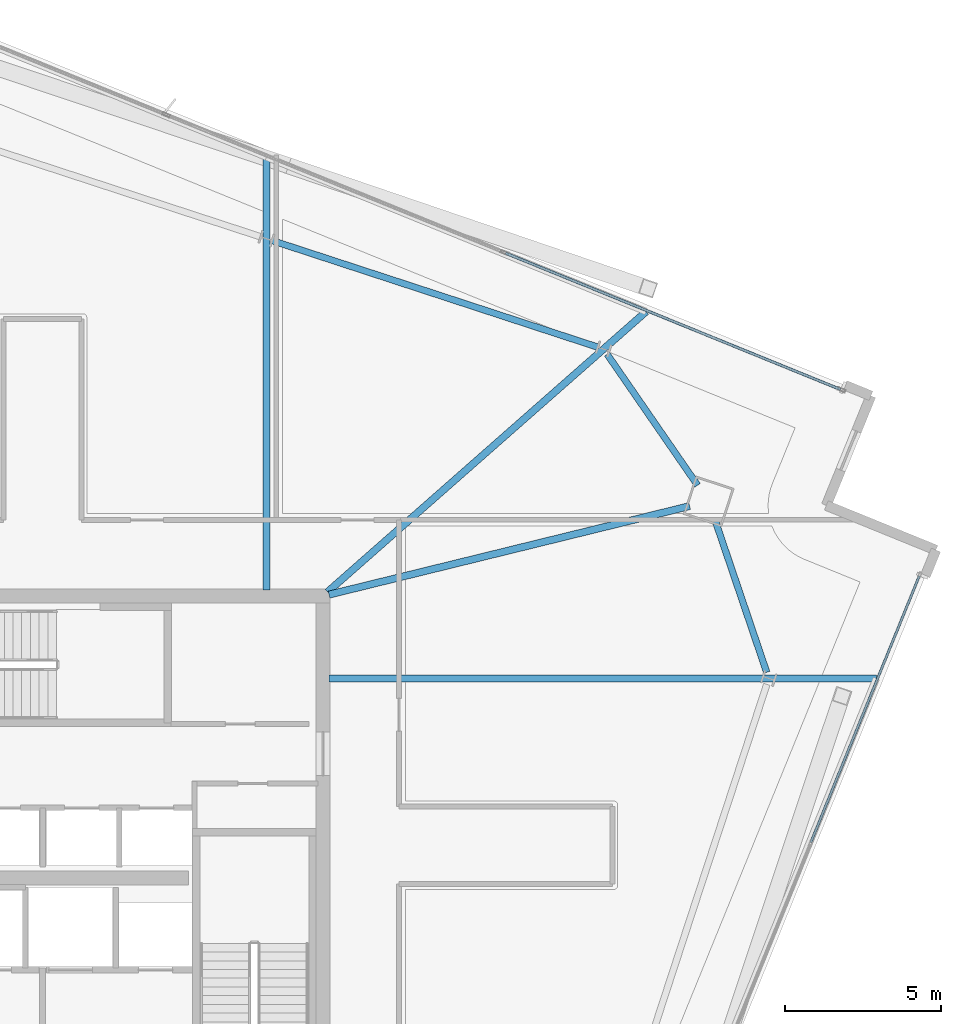
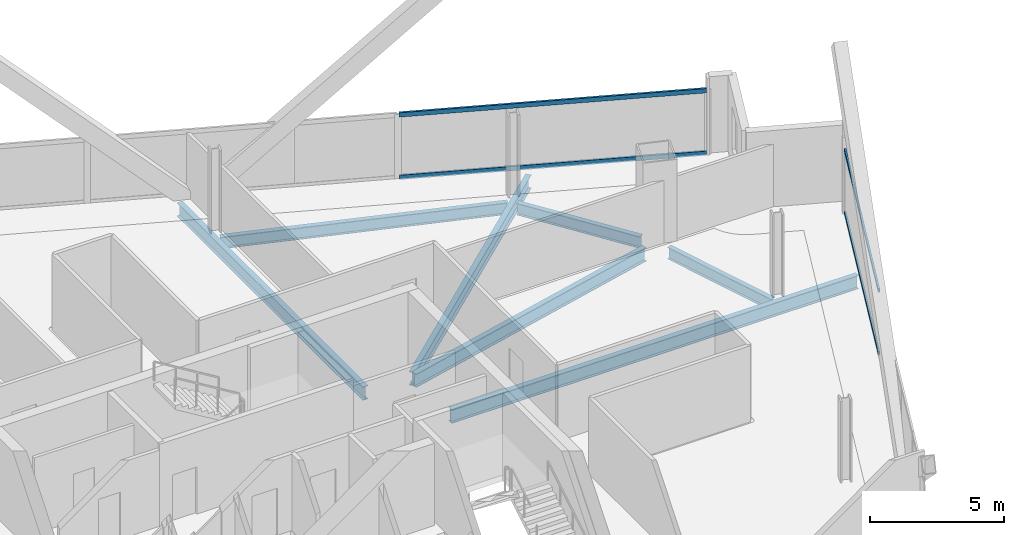
# One storey, part 20 of 31: 7 beams, 4 members, 2 elements without a shape of their own.
"""IFC4 building model written with IfcOpenShell, lengths in metres."""

from ifc_helpers import new_model, si_unit, direction, frame, origin, origin_2d, place, context, subcontext, project, spatial, hollow_rectangle, i_section, extrude, material, material_profile, profile_set, type_object, element, aggregate, save


model = new_model("IFC4")

# Units and contexts
model_context = context("Model", 3, precision=1e-05, world=origin(), true_north=direction((0.0, 1.0)))
body_context = subcontext(model_context, "Body", "Model", "MODEL_VIEW")
ifc_project = project(units=[si_unit("LENGTHUNIT", "METRE"), si_unit("AREAUNIT", "SQUARE_METRE"), si_unit("VOLUMEUNIT", "CUBIC_METRE"), si_unit("PLANEANGLEUNIT", "RADIAN"), si_unit("MASSUNIT", "GRAM", prefix="KILO")], contexts=[model_context])

# Site, building, storey
site_placement = place(None, origin())
site = spatial("IfcSite", under=ifc_project, at=site_placement, CompositionType="ELEMENT")
building_placement = place(site_placement, origin())
building = spatial("IfcBuilding", under=site, at=building_placement, Name="Haldenkirk Collegiate Tower", CompositionType="ELEMENT")
storey_placement = place(building_placement, frame((0.0, 0.0, 256.199951171875)))
storey = spatial("IfcBuildingStorey", under=building, at=storey_placement, Name="L64", CompositionType="ELEMENT", Elevation=256.199951171875)

# Beams
ifc_material_1 = material(Name="Steel ASTM A992 Grade 50", Category="steel")
ifc_material_profile_1 = material_profile(ifc_material_1, i_section(OverallWidth=0.22998046875, OverallDepth=0.616943359375, WebThickness=0.01318359375, FlangeThickness=0.022216796875, at=origin_2d()), Name="W24X94")
ifc_profile_set_1 = profile_set([ifc_material_profile_1], Name="Steel ASTM A992 Grade 50")
beam_type_1 = type_object("IfcBeamType", Name="BM-GIRDER-W24X94", PredefinedType="BEAM", material=ifc_profile_set_1)
beam_1_placement = place(storey_placement, frame((56.783935546875, 36.893310546875, -0.578369140625), z_axis=(-0.971153636509, -0.238454637815, 0.0), x_axis=(0.238454637815, -0.971153636509, 0.0)))
element("IfcBeam", 1, at=beam_1_placement, inside=storey, type_object=beam_type_1, Name="L64 primary floor girder 02", PredefinedType="BEAM", context=body_context, shape_type="SweptSolid", body=[
    extrude(i_section(OverallWidth=0.22998046875, OverallDepth=0.616943359375, WebThickness=0.01318359375, FlangeThickness=0.022216796875, at=origin_2d()), origin(), (0.0, 0.0, 1.0), 11.9287109375),
])
beam_2_placement = place(storey_placement, frame((62.777099609375, 31.360107421875, -0.578369140625), z_axis=(-1.0, 0.0, 0.0), x_axis=(0.0, -1.0, 0.0)))
element("IfcBeam", 2, at=beam_2_placement, inside=storey, type_object=beam_type_1, Name="L64 primary floor girder 07", PredefinedType="BEAM", context=body_context, shape_type="SweptSolid", body=[
    extrude(i_section(OverallWidth=0.22998046875, OverallDepth=0.616943359375, WebThickness=0.01318359375, FlangeThickness=0.022216796875, at=origin_2d()), origin(), (0.0, 0.0, 1.0), 17.572021484375),
])
beam_3_placement = place(storey_placement, frame((55.382080078125, 43.13720703125, -0.578369140625), z_axis=(-0.750683302388, -0.660662228007, 0.0), x_axis=(0.660662228007, -0.750683302388, 0.0)))
element("IfcBeam", 3, at=beam_3_placement, inside=storey, type_object=beam_type_1, Name="L64 primary floor girder 08", PredefinedType="BEAM", context=body_context, shape_type="SweptSolid", body=[
    extrude(i_section(OverallWidth=0.22998046875, OverallDepth=0.616943359375, WebThickness=0.01318359375, FlangeThickness=0.022216796875, at=origin_2d()), origin(), (0.0, 0.0, 1.0), 13.625244140625),
])
beam_4_placement = place(storey_placement, frame((43.18994140625, 48.10009765625, -0.578369140625), z_axis=(0.0, -1.0, 0.0), x_axis=(1.0, 0.0, 0.0)))
element("IfcBeam", 4, at=beam_4_placement, inside=storey, type_object=beam_type_1, Name="L64 primary floor girder 09", PredefinedType="BEAM", context=body_context, shape_type="SweptSolid", body=[
    extrude(i_section(OverallWidth=0.22998046875, OverallDepth=0.616943359375, WebThickness=0.01318359375, FlangeThickness=0.022216796875, at=origin_2d()), origin(), (0.0, 0.0, 1.0), 13.89501953125),
])
ifc_material_profile_2 = material_profile(ifc_material_1, i_section(OverallWidth=0.2099609375, OverallDepth=0.537109375, WebThickness=0.010986328125, FlangeThickness=0.017333984375, at=origin_2d()), Name="W21X68")
ifc_profile_set_2 = profile_set([ifc_material_profile_2], Name="Steel ASTM A992 Grade 50")
beam_type_2 = type_object("IfcBeamType", Name="BM-SPANDREL-W21X68", PredefinedType="SPANDREL", material=ifc_profile_set_2)
beam_5_placement = place(storey_placement, frame((59.258544921875, 31.5517578125, -0.538330078125), z_axis=(-0.321225245884, 0.947002820168, 0.0), x_axis=(-0.947002820168, -0.321225245884, 0.0)))
element("IfcBeam", 5, at=beam_5_placement, inside=storey, type_object=beam_type_2, Name="L64 perimeter spandrel beam 04", PredefinedType="SPANDREL", context=body_context, shape_type="SweptSolid", body=[
    extrude(i_section(OverallWidth=0.2099609375, OverallDepth=0.537109375, WebThickness=0.010986328125, FlangeThickness=0.017333984375, at=origin_2d()), origin(), (0.0, 0.0, 1.0), 5.1689453125),
])
beam_6_placement = place(storey_placement, frame((57.037841796875, 37.56201171875, -0.538330078125), z_axis=(-0.568092176681, 0.822964931692, 0.0), x_axis=(-0.822964931692, -0.568092176681, 0.0)))
element("IfcBeam", 6, at=beam_6_placement, inside=storey, type_object=beam_type_2, Name="L64 perimeter spandrel beam 05", PredefinedType="SPANDREL", context=body_context, shape_type="SweptSolid", body=[
    extrude(i_section(OverallWidth=0.2099609375, OverallDepth=0.537109375, WebThickness=0.010986328125, FlangeThickness=0.017333984375, at=origin_2d()), origin(), (0.0, 0.0, 1.0), 5.11328125),
])
beam_7_placement = place(storey_placement, frame((53.825439453125, 41.99951171875, -0.538330078125), z_axis=(-0.950402144652, 0.311023734531, 0.0), x_axis=(-0.311023734531, -0.950402144652, 0.0)))
element("IfcBeam", 7, at=beam_7_placement, inside=storey, type_object=beam_type_2, Name="L64 perimeter spandrel beam 06", PredefinedType="SPANDREL", context=body_context, shape_type="SweptSolid", body=[
    extrude(i_section(OverallWidth=0.2099609375, OverallDepth=0.537109375, WebThickness=0.010986328125, FlangeThickness=0.017333984375, at=origin_2d()), origin(), (0.0, 0.0, 1.0), 10.98779296875),
])

# Curtain wall, members
ifc_material_2 = material(Name="Anodised architectural bronze aluminium", Category="aluminium")
curtain_wall_type_1 = type_object("IfcCurtainWallType", Name="CW-SYS2-CONCAVE", PredefinedType="USERDEFINED", material=ifc_material_2)
curtain_wall_1_placement = place(storey_placement, origin())
curtain_wall_1 = element("IfcCurtainWall", 8, at=curtain_wall_1_placement, inside=storey, type_object=curtain_wall_type_1, Name="L64 South concave recessed bronze-anodised curtain wall", ObjectType="UNITISED CURTAIN WALL", PredefinedType="USERDEFINED")
ifc_material_profile_3 = material_profile(ifc_material_2, hollow_rectangle(XDim=0.074951171875, YDim=0.159912109375, WallThickness=0.0048828125, at=origin_2d()), Name="CW-TRN-02")
ifc_profile_set_3 = profile_set([ifc_material_profile_3], Name="Anodised architectural bronze aluminium")
member_type_1 = type_object("IfcMemberType", Name="CW-TRN-02", PredefinedType="USERDEFINED", material=ifc_profile_set_3)
member_1_placement = place(storey_placement, frame((64.158203125, 34.646728515625, 0.03759765625), z_axis=(-0.377034107079, -0.926199374918, 0.0), x_axis=(0.926199374918, -0.377034107079, 0.0)))
member_1 = element("IfcMember", 9, at=member_1_placement, type_object=member_type_1, Name="CW-02 transom 1.1", ObjectType="TRANSOM", PredefinedType="USERDEFINED", context=body_context, shape_type="SweptSolid", body=[
    extrude(hollow_rectangle(XDim=0.074951171875, YDim=0.159912109375, WallThickness=0.0048828125, at=origin_2d()), origin(), (0.0, 0.0, 1.0), 9.237548828125),
])
member_2_placement = place(storey_placement, frame((64.158203125, 34.646728515625, 2.900634765625), z_axis=(-0.377034107079, -0.926199374918, 0.0), x_axis=(0.926199374918, -0.377034107079, 0.0)))
member_2 = element("IfcMember", 10, at=member_2_placement, type_object=member_type_1, Name="CW-02 transom 1.2", ObjectType="TRANSOM", PredefinedType="USERDEFINED", context=body_context, shape_type="SweptSolid", body=[
    extrude(hollow_rectangle(XDim=0.074951171875, YDim=0.159912109375, WallThickness=0.0048828125, at=origin_2d()), origin(), (0.0, 0.0, 1.0), 9.237548828125),
])
aggregate(curtain_wall_1, [member_1, member_2])

curtain_wall_type_2 = type_object("IfcCurtainWallType", Name="CW-SYS1B-CONVEX-HI", PredefinedType="USERDEFINED", material=ifc_material_2)
curtain_wall_2_placement = place(storey_placement, origin())
curtain_wall_2 = element("IfcCurtainWall", 11, at=curtain_wall_2_placement, inside=storey, type_object=curtain_wall_type_2, Name="L64 Upper tower high-wind convex bronze unitised curtain wall", ObjectType="UNITISED CURTAIN WALL", PredefinedType="USERDEFINED")
ifc_material_profile_4 = material_profile(ifc_material_2, hollow_rectangle(XDim=0.0849609375, YDim=0.199951171875, WallThickness=0.0048828125, at=origin_2d()), Name="CW-TRN-1B")
ifc_profile_set_4 = profile_set([ifc_material_profile_4], Name="Anodised architectural bronze aluminium")
member_type_2 = type_object("IfcMemberType", Name="CW-TRN-1B", PredefinedType="USERDEFINED", material=ifc_profile_set_4)
member_3_placement = place(storey_placement, frame((50.8759765625, 45.0146484375, 0.04248046875), z_axis=(0.926196314572, -0.377041624855, 0.0), x_axis=(0.377041624855, 0.926196314572, 0.0)))
member_3 = element("IfcMember", 12, at=member_3_placement, type_object=member_type_2, Name="CW-1B transom 3.1", ObjectType="TRANSOM", PredefinedType="USERDEFINED", context=body_context, shape_type="SweptSolid", body=[
    extrude(hollow_rectangle(XDim=0.0849609375, YDim=0.199951171875, WallThickness=0.0048828125, at=origin_2d()), origin(), (0.0, 0.0, 1.0), 11.606201171875),
])
member_4_placement = place(storey_placement, frame((50.8759765625, 45.0146484375, 2.8955078125), z_axis=(0.926196314572, -0.377041624855, 0.0), x_axis=(0.377041624855, 0.926196314572, 0.0)))
member_4 = element("IfcMember", 13, at=member_4_placement, type_object=member_type_2, Name="CW-1B transom 3.2", ObjectType="TRANSOM", PredefinedType="USERDEFINED", context=body_context, shape_type="SweptSolid", body=[
    extrude(hollow_rectangle(XDim=0.0849609375, YDim=0.199951171875, WallThickness=0.0048828125, at=origin_2d()), origin(), (0.0, 0.0, 1.0), 11.606201171875),
])
aggregate(curtain_wall_2, [member_3, member_4])

save(model, "model.ifc")
